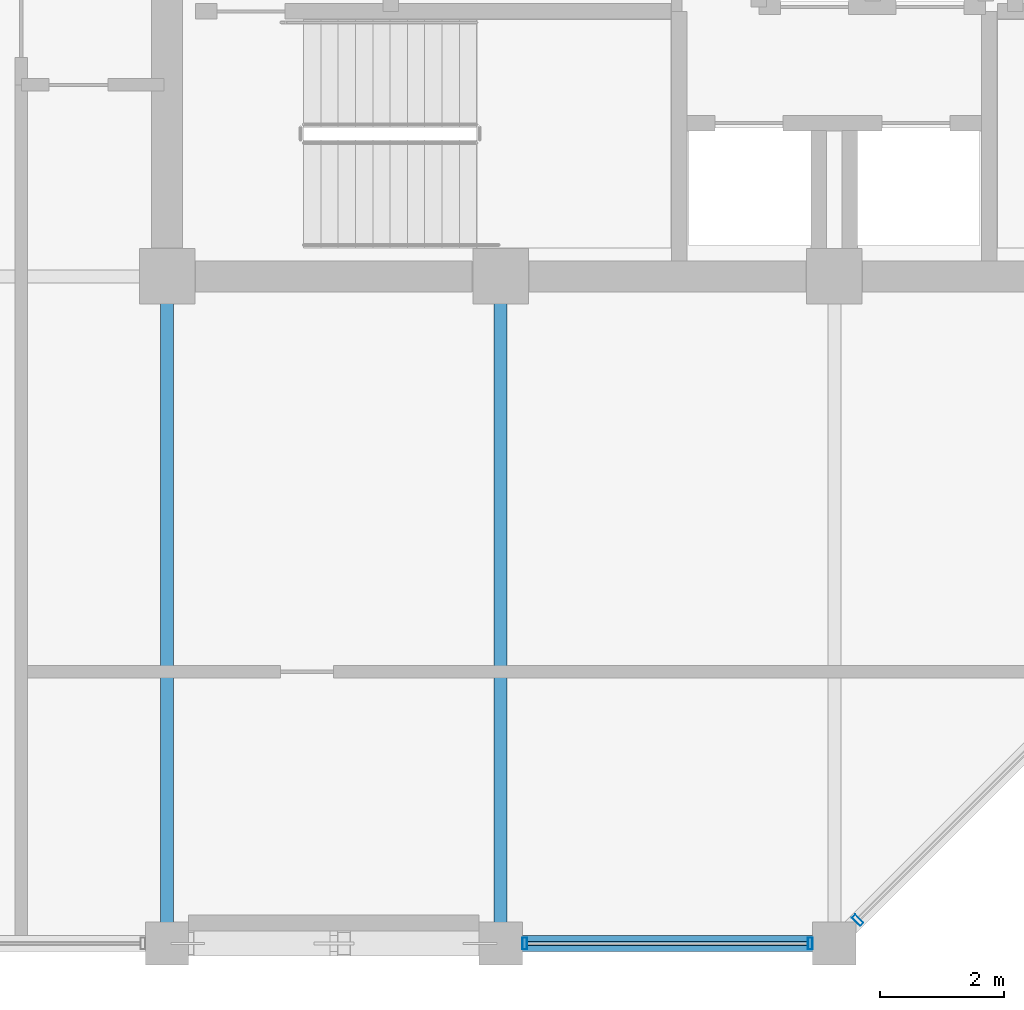
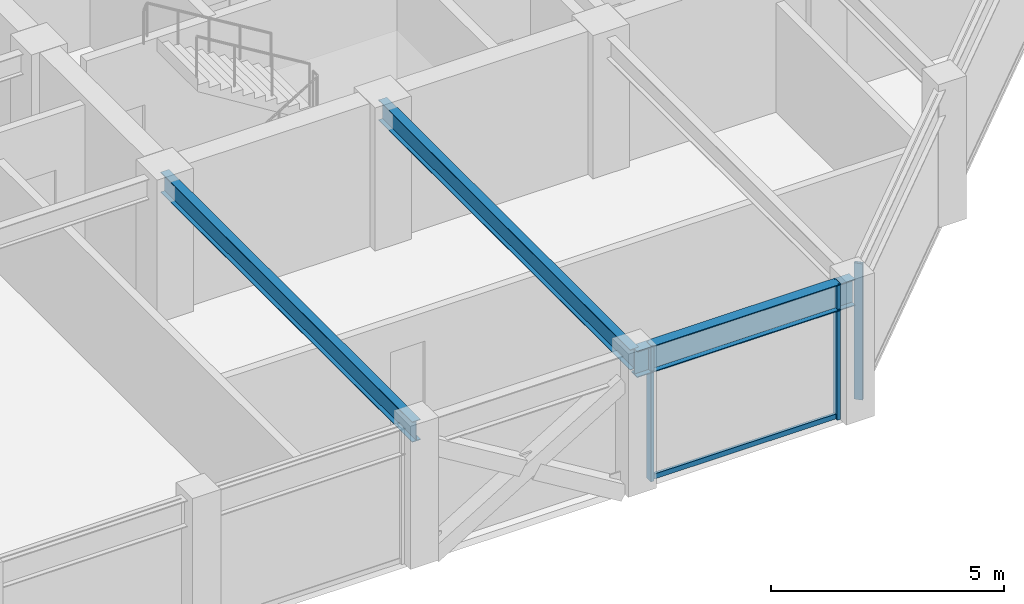
# One storey, part 6 of 30: 4 members, 3 beams, 2 elements without a shape of their own.
"""IFC4 building model written with IfcOpenShell, lengths in metres."""

import ifcopenshell
import ifcopenshell.guid

model = None  # the IFC model being written
_history = None  # IfcOwnerHistory: only IFC2X3 demands one
_inside = {}  # id of a spatial element -> (the spatial element, [elements in it])
_under = {}  # id of a project, library or spatial element -> (it, [spatial elements below it])
_declared = {}  # id of a project -> (the project, [libraries it declares])
_typed = {}  # id of a type object -> (the type object, [elements of that type])
_made_of = {}  # id of a material, layer set ... -> (it, [elements and type objects made of it])


def new_model(schema):
    """Start an empty IFC model of exactly this schema.

    Asked for "IFC4X3", IfcOpenShell would pick the latest addendum, in which some entities
    have other attributes; the version numbers below select the first issue.
    IFC2X3 requires an IfcOwnerHistory on every rooted entity: one is made here for all.
    """
    global model, _history
    if schema == "IFC4X3":
        model = ifcopenshell.file(schema_version=(4, 3, 0, 0))
    else:
        model = ifcopenshell.file(schema=schema)
    _inside.clear()
    _under.clear()
    _declared.clear()
    _typed.clear()
    _made_of.clear()
    _history = None
    if model.schema == "IFC2X3":
        org = make("IfcOrganization", Name="unknown")
        user = make(
            "IfcPersonAndOrganization",
            ThePerson=make("IfcPerson", FamilyName="unknown"),
            TheOrganization=org,
        )
        app = make(
            "IfcApplication",
            ApplicationDeveloper=org,
            Version="unknown",
            ApplicationFullName="unknown",
            ApplicationIdentifier="unknown",
        )
        _history = make(
            "IfcOwnerHistory",
            OwningUser=user,
            OwningApplication=app,
            ChangeAction="ADDED",
            CreationDate=0,
        )
    return model


def make(cls, **values):
    """One entity of the class cls with the attributes given. An attribute that is None is left unset."""
    return model.create_entity(
        cls, **{name: value for name, value in values.items() if value is not None}
    )


def rooted(cls, **values):
    """An entity with a GlobalId (a new one), such as an element, a storey or a relation."""
    return make(cls, GlobalId=ifcopenshell.guid.new(), OwnerHistory=_history, **values)


def si_unit(unit_type, name, prefix=None):
    """IfcSIUnit, for example si_unit("LENGTHUNIT", "METRE", prefix="MILLI")."""
    return make("IfcSIUnit", UnitType=unit_type, Prefix=prefix, Name=name)


def assignment(units):
    """IfcUnitAssignment: the units of a project."""
    return None if units is None else make("IfcUnitAssignment", Units=units)


def point(xyz):
    """IfcCartesianPoint."""
    return None if xyz is None else make("IfcCartesianPoint", Coordinates=xyz)


def direction(xyz):
    """IfcDirection."""
    return None if xyz is None else make("IfcDirection", DirectionRatios=xyz)


def frame(location, z_axis=None, x_axis=None):
    """IfcAxis2Placement3D, a coordinate frame: its origin and axes. An axis left out is left unset."""
    return make(
        "IfcAxis2Placement3D",
        Location=point(location),
        Axis=direction(z_axis),
        RefDirection=direction(x_axis),
    )


def frame_2d(location, x_axis=None):
    """IfcAxis2Placement2D, a coordinate frame in the plane: its origin and x axis."""
    return make(
        "IfcAxis2Placement2D", Location=point(location), RefDirection=direction(x_axis)
    )


def origin():
    """The frame at (0, 0, 0) with its axes left unset."""
    return frame((0.0, 0.0, 0.0))


def origin_2d():
    """The frame at (0, 0) in the plane with its x axis left unset."""
    return frame_2d((0.0, 0.0))


def place(relative_to, where):
    """IfcLocalPlacement: puts the frame where relative to a parent placement (None: the world)."""
    return make(
        "IfcLocalPlacement", PlacementRelTo=relative_to, RelativePlacement=where
    )


def context(
    kind, dimensions, precision=None, world=None, true_north=None, identifier=None
):
    """IfcGeometricRepresentationContext, for example the 3D "Model" context."""
    return make(
        "IfcGeometricRepresentationContext",
        ContextIdentifier=identifier,
        ContextType=kind,
        CoordinateSpaceDimension=dimensions,
        Precision=precision,
        WorldCoordinateSystem=world,
        TrueNorth=true_north,
    )


def subcontext(parent, identifier, kind, view, scale=None):
    """IfcGeometricRepresentationSubContext, for example "Body" below "Model"."""
    return make(
        "IfcGeometricRepresentationSubContext",
        ContextIdentifier=identifier,
        ContextType=kind,
        ParentContext=parent,
        TargetScale=scale,
        TargetView=view,
    )


def project(units=None, contexts=None):
    """IfcProject with its units and contexts."""
    return rooted(
        "IfcProject",
        Name="project",
        RepresentationContexts=contexts,
        UnitsInContext=assignment(units),
    )


def spatial(cls, under=None, at=None, **own):
    """A site, building, storey or space (cls), placed at a placement, below another one or the project."""
    s = rooted(cls, ObjectPlacement=at, **own)
    if under is not None:
        _under.setdefault(under.id(), (under, []))[1].append(s)
    return s


def profile(cls, at=None, kind="AREA", **sizes):
    """A parametric profile (cls). Its sizes go by their IFC names, for example OverallWidth=200.0."""
    return make(cls, ProfileType=kind, Position=at, **sizes)


def hollow_rectangle(**sizes):
    """IfcRectangleHollowProfileDef."""
    return profile("IfcRectangleHollowProfileDef", **sizes)


def i_section(**sizes):
    """IfcIShapeProfileDef."""
    return profile("IfcIShapeProfileDef", **sizes)


def extrude(swept, where, along, depth):
    """IfcExtrudedAreaSolid: the profile swept, set in the frame where, extruded along a direction by depth."""
    return make(
        "IfcExtrudedAreaSolid",
        SweptArea=swept,
        Position=where,
        ExtrudedDirection=direction(along),
        Depth=depth,
    )


def shape(context_of_items, identifier, shape_type, items):
    """IfcShapeRepresentation: the items that make up one representation, for example the "Body"."""
    return make(
        "IfcShapeRepresentation",
        ContextOfItems=context_of_items,
        RepresentationIdentifier=identifier,
        RepresentationType=shape_type,
        Items=items,
    )


def material(Name=None, Category=None):
    """IfcMaterial."""
    return make("IfcMaterial", Name=Name, Category=Category)


def layer(
    of_material, thickness, ventilated=None, Name=None, Category=None, Priority=None
):
    """IfcMaterialLayer: one layer of a wall or slab, of a material (None: an air gap)."""
    return make(
        "IfcMaterialLayer",
        Material=of_material,
        LayerThickness=thickness,
        IsVentilated=ventilated,
        Name=Name,
        Category=Category,
        Priority=Priority,
    )


def layer_set(layers, Name=None):
    """IfcMaterialLayerSet."""
    return make("IfcMaterialLayerSet", MaterialLayers=layers, LayerSetName=Name)


def material_profile(
    of_material, cross_section, Name=None, Category=None, Priority=None
):
    """IfcMaterialProfile: a cross section and its material."""
    return make(
        "IfcMaterialProfile",
        Name=Name,
        Material=of_material,
        Profile=cross_section,
        Priority=Priority,
        Category=Category,
    )


def profile_set(profiles, Name=None, composite=None):
    """IfcMaterialProfileSet."""
    return make(
        "IfcMaterialProfileSet",
        Name=Name,
        MaterialProfiles=profiles,
        CompositeProfile=composite,
    )


def made_of(thing, what):
    """Note that an element or type object is made of a material, layer set ...; save() writes the relation."""
    if what is not None:
        _made_of.setdefault(what.id(), (what, []))[1].append(thing)
    return thing


def type_object(cls, material=None, **own):
    """A type object (cls), such as IfcWallType, which elements share."""
    return made_of(rooted(cls, **own), material)


def element(
    cls,
    number,
    at=None,
    inside=None,
    cuts=None,
    type_object=None,
    material=None,
    context=None,
    identifier="Body",
    shape_type=None,
    held_by="IfcProductDefinitionShape",
    body=None,
    shapes=None,
    **own,
):
    """One element of the class cls, such as IfcWall. Its Tag is "e" and its number.

    at: its placement. inside: the storey or other place that contains it. cuts: it is an
    opening in that element (IfcRelVoidsElement). A single representation is given by context,
    identifier, shape_type and body (its items); several are given by shapes. held_by: the class
    of the entity that holds the representations. save() writes the other relations.
    """
    e = rooted(cls, Tag="e%d" % number, ObjectPlacement=at, **own)
    if body is not None:
        shapes = [shape(context, identifier, shape_type, body)]
    if shapes is not None:
        e.Representation = make(held_by, Representations=shapes)
    if inside is not None:
        _inside.setdefault(inside.id(), (inside, []))[1].append(e)
    if cuts is not None:
        rooted(
            "IfcRelVoidsElement", RelatingBuildingElement=cuts, RelatedOpeningElement=e
        )
    if type_object is not None:
        _typed.setdefault(type_object.id(), (type_object, []))[1].append(e)
    return made_of(e, material)


def aggregate(whole, parts):
    """IfcRelAggregates: a whole, such as a stair, and the parts it consists of."""
    return rooted("IfcRelAggregates", RelatingObject=whole, RelatedObjects=parts)


def save(model, path):
    """Write the relations noted so far, then the file.

    IfcRelAggregates (storeys below a building ...), IfcRelContainedInSpatialStructure (elements
    in a storey), IfcRelDefinesByType, IfcRelAssociatesMaterial and IfcRelDeclares: one each for
    every whole, place, type object, material and project.
    """
    for whole, parts in _under.values():
        aggregate(whole, parts)
    for where, things in _inside.values():
        rooted(
            "IfcRelContainedInSpatialStructure",
            RelatedElements=things,
            RelatingStructure=where,
        )
    for kind, things in _typed.values():
        rooted("IfcRelDefinesByType", RelatedObjects=things, RelatingType=kind)
    for what, things in _made_of.values():
        rooted("IfcRelAssociatesMaterial", RelatedObjects=things, RelatingMaterial=what)
    for by, libraries in _declared.values():
        rooted("IfcRelDeclares", RelatingContext=by, RelatedDefinitions=libraries)
    model.write(path)


model = new_model("IFC4")

# Units and contexts
model_context = context("Model", 3, precision=1e-05, world=origin(), true_north=direction((0.0, 1.0)))
body_context = subcontext(model_context, "Body", "Model", "MODEL_VIEW")
ifc_project = project(units=[si_unit("LENGTHUNIT", "METRE"), si_unit("AREAUNIT", "SQUARE_METRE"), si_unit("VOLUMEUNIT", "CUBIC_METRE"), si_unit("PLANEANGLEUNIT", "RADIAN"), si_unit("MASSUNIT", "GRAM", prefix="KILO")], contexts=[model_context])

# Site, building, storey
site_placement = place(None, origin())
site = spatial("IfcSite", under=ifc_project, at=site_placement, CompositionType="ELEMENT")
building_placement = place(site_placement, origin())
building = spatial("IfcBuilding", under=site, at=building_placement, Name="Surkhivell Harbour Commons", CompositionType="ELEMENT")
storey_placement = place(building_placement, frame((0.0, 0.0, 296.25)))
storey = spatial("IfcBuildingStorey", under=building, at=storey_placement, Name="L77", CompositionType="ELEMENT", Elevation=296.25)

# Beams
ifc_material_1 = material(Name="Steel S355", Category="steel")
ifc_material_profile_1 = material_profile(ifc_material_1, i_section(OverallWidth=0.2099609375, OverallDepth=0.537109375, WebThickness=0.0107421875, FlangeThickness=0.017333984375, at=origin_2d()), Name="UB533x210x101")
ifc_profile_set_1 = profile_set([ifc_material_profile_1], Name="Steel S355")
beam_type_1 = type_object("IfcBeamType", Name="BM-GRD-533B", PredefinedType="BEAM", material=ifc_profile_set_1)
for number, where, z_axis, x_axis, name in (
    (1, (-10.800048828125, -21.60009765625, 3.301513671875), (0.0, 1.0, 0.0), (-1.0, 0.0, 0.0), "L77 Floor Girder (-10.8,-21.6)"),
    (2, (-5.39990234375, -21.60009765625, 3.301513671875), (0.0, 1.0, 0.0), (-1.0, 0.0, 0.0), "L77 Floor Girder (-5.4,-21.6)"),
):
    element("IfcBeam", number, at=place(storey_placement, frame(where, z_axis=z_axis, x_axis=x_axis)), inside=storey, type_object=beam_type_1, Name=name, PredefinedType="BEAM", context=body_context, shape_type="SweptSolid", body=[
        extrude(i_section(OverallWidth=0.2099609375, OverallDepth=0.537109375, WebThickness=0.0107421875, FlangeThickness=0.017333984375, at=origin_2d()), origin(), (0.0, 0.0, 1.0), 10.800048828125),
    ])
ifc_material_profile_2 = material_profile(ifc_material_1, i_section(OverallWidth=0.256103515625, OverallDepth=0.693115234375, WebThickness=0.014404296875, FlangeThickness=0.023681640625, at=origin_2d()), Name="UB686x254x170")
ifc_profile_set_2 = profile_set([ifc_material_profile_2], Name="Steel S355")
beam_type_2 = type_object("IfcBeamType", Name="BM-SPN-686", PredefinedType="SPANDREL", material=ifc_profile_set_2)
beam_placement = place(storey_placement, frame((-5.39990234375, -21.60009765625, 3.223388671875), z_axis=(1.0, 0.0, 0.0), x_axis=(0.0, 1.0, 0.0)))
element("IfcBeam", 3, at=beam_placement, inside=storey, type_object=beam_type_2, Name="L77 Tube Spandrel (-5.4,-21.6)", PredefinedType="SPANDREL", context=body_context, shape_type="SweptSolid", body=[
    extrude(i_section(OverallWidth=0.256103515625, OverallDepth=0.693115234375, WebThickness=0.014404296875, FlangeThickness=0.023681640625, at=origin_2d()), origin(), (0.0, 0.0, 1.0), 5.39990234375),
])

# Curtain wall, members
ifc_material_2 = material(Name="Anodised pale-metal aluminium and insulated glazing", Category="aluminium")
ifc_layer = layer(ifc_material_2, 0.175048828125)
ifc_layer_set = layer_set([ifc_layer], Name="Anodised pale-metal aluminium and insulated glazing")
curtain_wall_type = type_object("IfcCurtainWallType", Name="CW-SYS-Z4", PredefinedType="NOTDEFINED", material=ifc_layer_set)
curtain_wall_1_placement = place(storey_placement, origin())
curtain_wall_1 = element("IfcCurtainWall", 4, at=curtain_wall_1_placement, inside=storey, type_object=curtain_wall_type, Name="L77 Curtain Wall CW-L77-E00S2", PredefinedType="NOTDEFINED")
ifc_material_3 = material(Name="Anodised pale-metal aluminium alloy 6063-T6", Category="aluminium")
ifc_material_profile_3 = material_profile(ifc_material_3, hollow_rectangle(XDim=0.074951171875, YDim=0.18994140625, WallThickness=0.00390625, at=origin_2d()), Name="ALU-MULL-75x190")
ifc_profile_set_3 = profile_set([ifc_material_profile_3], Name="Anodised pale-metal aluminium alloy 6063-T6")
member_type_1 = type_object("IfcMemberType", Name="CWM-190", PredefinedType="MULLION", material=ifc_profile_set_3)
member_1_placement = place(storey_placement, frame((-5.010498046875, -21.60009765625, 0.0), z_axis=(0.0, 0.0, 1.0), x_axis=(1.0, 0.0, 0.0)))
member_1 = element("IfcMember", 5, at=member_1_placement, type_object=member_type_1, Name="CW-Z4 mullion 1", PredefinedType="MULLION", context=body_context, shape_type="SweptSolid", body=[
    extrude(hollow_rectangle(XDim=0.074951171875, YDim=0.18994140625, WallThickness=0.00390625, at=origin_2d()), origin(), (0.0, 0.0, 1.0), 3.570068359375),
])
member_2_placement = place(storey_placement, frame((-0.389404296875, -21.60009765625, 0.0), z_axis=(0.0, 0.0, 1.0), x_axis=(1.0, 0.0, 0.0)))
member_2 = element("IfcMember", 6, at=member_2_placement, type_object=member_type_1, Name="CW-Z4 mullion 2", PredefinedType="MULLION", context=body_context, shape_type="SweptSolid", body=[
    extrude(hollow_rectangle(XDim=0.074951171875, YDim=0.18994140625, WallThickness=0.00390625, at=origin_2d()), origin(), (0.0, 0.0, 1.0), 3.570068359375),
])

# Curtain wall, member
curtain_wall_2_placement = place(storey_placement, origin())
curtain_wall_2 = element("IfcCurtainWall", 7, at=curtain_wall_2_placement, inside=storey, type_object=curtain_wall_type, Name="L77 Curtain Wall CW-L77-E01", PredefinedType="NOTDEFINED")
member_3_placement = place(storey_placement, frame((0.378173828125, -21.221923828125, 0.0), z_axis=(0.0, 0.0, 1.0), x_axis=(0.707106781187, 0.707106781187, 0.0)))
member_3 = element("IfcMember", 8, at=member_3_placement, type_object=member_type_1, Name="CW-Z4 mullion 1", PredefinedType="MULLION", context=body_context, shape_type="SweptSolid", body=[
    extrude(hollow_rectangle(XDim=0.074951171875, YDim=0.18994140625, WallThickness=0.00390625, at=origin_2d()), origin(), (0.0, 0.0, 1.0), 3.570068359375),
])
aggregate(curtain_wall_2, [member_3])

# Member
ifc_material_4 = material(Name="Champagne anodised aluminium alloy 6063-T6", Category="aluminium")
ifc_material_profile_4 = material_profile(ifc_material_4, hollow_rectangle(XDim=0.070068359375, YDim=0.1298828125, WallThickness=0.00341796875, at=origin_2d()), Name="ALU-TRAN-70x130")
ifc_profile_set_4 = profile_set([ifc_material_profile_4], Name="Champagne anodised aluminium alloy 6063-T6")
member_type_2 = type_object("IfcMemberType", Name="CWT-130", PredefinedType="USERDEFINED", material=ifc_profile_set_4)
member_4_placement = place(storey_placement, frame((-4.972900390625, -21.60009765625, 0.06494140625), z_axis=(1.0, 0.0, 0.0), x_axis=(0.0, 1.0, 0.0)))
member_4 = element("IfcMember", 9, at=member_4_placement, type_object=member_type_2, Name="CW-Z4 transom 1.1", ObjectType="TRANSOM", PredefinedType="USERDEFINED", context=body_context, shape_type="SweptSolid", body=[
    extrude(hollow_rectangle(XDim=0.070068359375, YDim=0.1298828125, WallThickness=0.00341796875, at=origin_2d()), origin(), (0.0, 0.0, 1.0), 4.5458984375),
])

aggregate(curtain_wall_1, [member_1, member_2, member_4])

save(model, "model.ifc")
